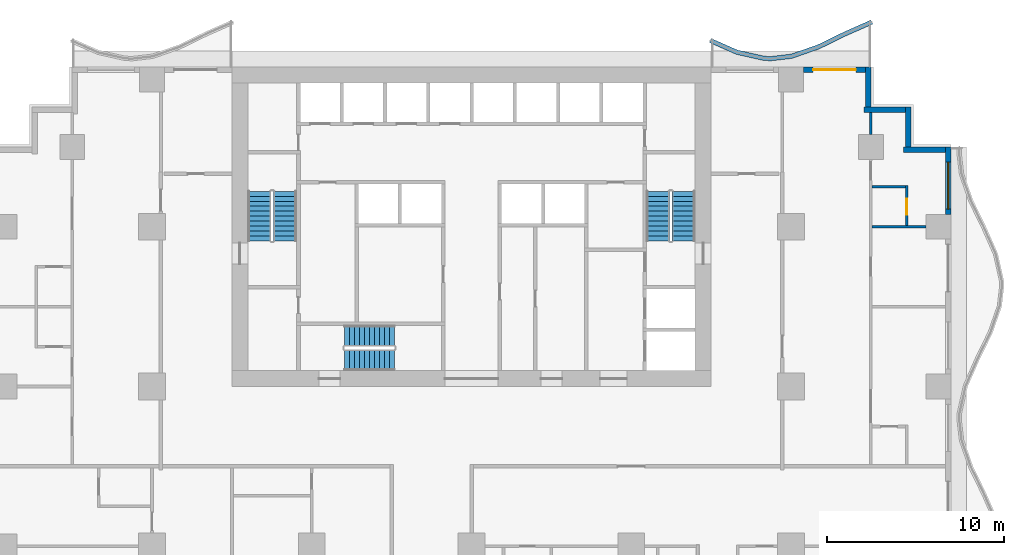
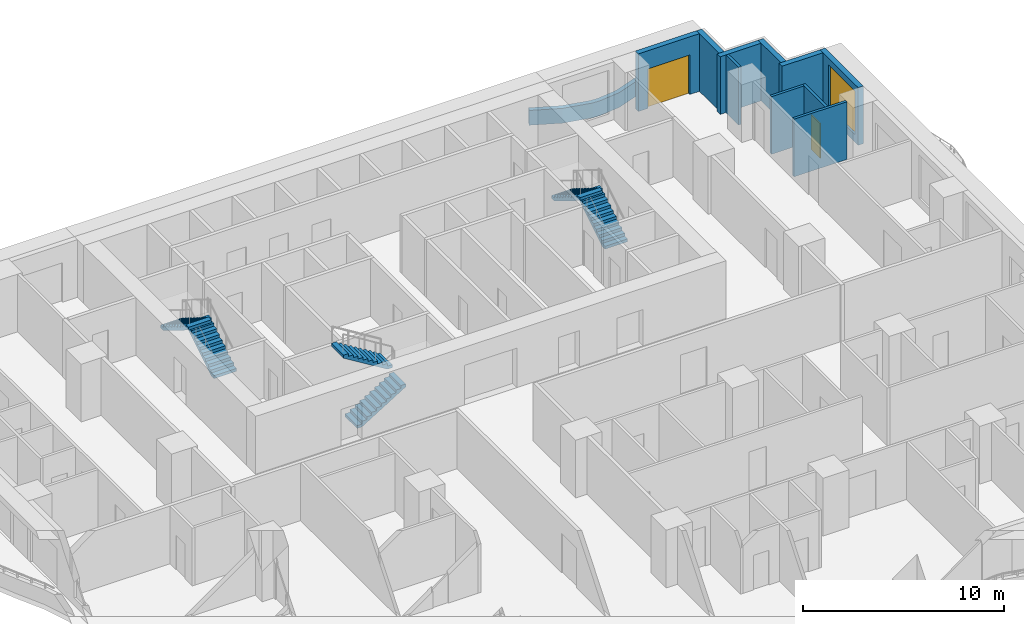
# One storey, part 7 of 14: 11 walls, 6 stair flights, 2 doors, 1 window, 3 openings, 3 elements without a shape of their own.
"""IFC4 building model written with IfcOpenShell, lengths in metres."""

from ifc_helpers import new_model, si_unit, direction, frame, frame_2d, origin, place, context, subcontext, project, spatial, polyline, rectangle, outline, extrude, material, layer, layer_set, type_object, element, fill, aggregate, save


model = new_model("IFC4")

# Units and contexts
model_context = context("Model", 3, precision=1e-05, world=origin(), true_north=direction((0.0, 1.0)))
body_context = subcontext(model_context, "Body", "Model", "MODEL_VIEW")
ifc_project = project(units=[si_unit("LENGTHUNIT", "METRE"), si_unit("AREAUNIT", "SQUARE_METRE"), si_unit("VOLUMEUNIT", "CUBIC_METRE"), si_unit("PLANEANGLEUNIT", "RADIAN"), si_unit("MASSUNIT", "GRAM", prefix="KILO")], contexts=[model_context])

# Site, building, storey
site_placement = place(None, origin())
site = spatial("IfcSite", under=ifc_project, at=site_placement, CompositionType="ELEMENT")
building_placement = place(site_placement, origin())
building = spatial("IfcBuilding", under=site, at=building_placement, Name="Orbiselva Terraces", CompositionType="ELEMENT")
storey_placement = place(building_placement, frame((0.0, 0.0, 56.8)))
storey = spatial("IfcBuildingStorey", under=building, at=storey_placement, Name="L14", CompositionType="ELEMENT", Elevation=56.8)

# Wall
ifc_material_1 = material(Name="Concrete C40/50", Category="concrete")
ifc_layer_1 = layer(ifc_material_1, 0.25)
ifc_layer_set_1 = layer_set([ifc_layer_1], Name="Concrete C40/50")
wall_type_1 = type_object("IfcWallType", Name="ENV-PLANTER-250x900", PredefinedType="USERDEFINED", material=ifc_layer_set_1)
wall_1_placement = place(storey_placement, origin())
element("IfcWall", 1, at=wall_1_placement, inside=storey, type_object=wall_type_1, Name="Balcony planter L14 NE", ObjectType="PLANTER", PredefinedType="USERDEFINED", context=body_context, shape_type="SweptSolid", body=[
    extrude(outline(polyline([(22.5, 25.148528), (21.0, 24.487721), (19.5, 23.755211), (18.0, 23.230792), (16.875, 23.1), (16.5, 23.114774), (15.0, 23.451472), (13.5, 24.112279), (13.399212, 23.883496), (14.921492, 23.212874), (16.467435, 22.865863), (16.884572, 22.849429), (18.056371, 22.985662), (19.59644, 23.524089), (21.105286, 24.260919), (22.600788, 24.919745), (22.5, 25.148528)])), origin(), (0.0, 0.0, 1.0), 0.9),
])

# Wall, opening, window
ifc_material_2 = material(Name="Terracotta cladding on masonry backing", Category="masonry")
ifc_layer_2 = layer(ifc_material_2, 0.3)
ifc_layer_set_2 = layer_set([ifc_layer_2], Name="Terracotta cladding on masonry backing")
wall_type_2 = type_object("IfcWallType", Name="ENV-WALL-TERRACOTTA-300", PredefinedType="SOLIDWALL", material=ifc_layer_set_2)
wall_2_placement = place(storey_placement, frame((26.85, 18.0, 0.0), z_axis=(0.0, 0.0, 1.0), x_axis=(0.0, -1.0, 0.0)))
wall_2 = element("IfcWall", 2, at=wall_2_placement, inside=storey, type_object=wall_type_2, Name="Facade wall L14 E", PredefinedType="SOLIDWALL", context=body_context, shape_type="SweptSolid", body=[
    extrude(rectangle(XDim=3.8, YDim=0.3, at=frame_2d((1.9, 0.0))), origin(), (0.0, 0.0, 1.0), 3.5),
])
opening_1_placement = place(wall_2_placement, frame((0.85, 0.0, 0.45)))
opening_1 = element("IfcOpeningElement", 3, at=opening_1_placement, cuts=wall_2, Name="Opening WN3", PredefinedType="OPENING", context=body_context, shape_type="SweptSolid", body=[
    extrude(rectangle(XDim=2.65, YDim=2.65, at=frame_2d((1.325, 1.325))), frame((0.0, 0.16, 0.0), z_axis=(0.0, -1.0, 0.0), x_axis=(1.0, 0.0, 0.0)), (0.0, 0.0, 1.0), 0.32),
])
ifc_material_3 = material(Name="Clear low-e glazing in aluminium frame", Category="aluminium")
window_type = type_object("IfcWindowType", Name="WINDOW 2650 X 2650 S450", PartitioningType="TRIPLE_PANEL_VERTICAL", PredefinedType="WINDOW", material=ifc_material_3)
window_placement = place(opening_1_placement, origin())
window = element("IfcWindow", 4, at=window_placement, inside=storey, type_object=window_type, Name="Window L14 E", OverallHeight=2.65, OverallWidth=2.65, PartitioningType="SINGLE_PANEL", PredefinedType="WINDOW", context=body_context, shape_type="SweptSolid", body=[
    extrude(rectangle(XDim=2.65, YDim=2.65, at=frame_2d((1.325, 1.325))), frame((0.0, 0.03, 0.0), z_axis=(0.0, -1.0, 0.0), x_axis=(1.0, 0.0, 0.0)), (0.0, 0.0, 1.0), 0.06),
])
fill(opening_1, window)

# Walls
wall_3_placement = place(storey_placement, frame((24.35, 17.85, 0.0), z_axis=(0.0, 0.0, 1.0), x_axis=(1.0, 0.0, 0.0)))
element("IfcWall", 5, at=wall_3_placement, inside=storey, type_object=wall_type_2, Name="Facade wall L14 STEP", PredefinedType="SOLIDWALL", context=body_context, shape_type="SweptSolid", body=[
    extrude(rectangle(XDim=2.35, YDim=0.3, at=frame_2d((1.175, 0.0))), origin(), (0.0, 0.0, 1.0), 3.5),
])
wall_4_placement = place(storey_placement, frame((24.6, 20.25, 0.0), z_axis=(0.0, 0.0, 1.0), x_axis=(0.0, -1.0, 0.0)))
element("IfcWall", 6, at=wall_4_placement, inside=storey, type_object=wall_type_2, Name="Facade wall L14 STEP", PredefinedType="SOLIDWALL", context=body_context, shape_type="SweptSolid", body=[
    extrude(rectangle(XDim=2.25, YDim=0.3, at=frame_2d((1.125, 0.0))), origin(), (0.0, 0.0, 1.0), 3.5),
])
wall_5_placement = place(storey_placement, frame((22.1, 20.1, 0.0), z_axis=(0.0, 0.0, 1.0), x_axis=(1.0, 0.0, 0.0)))
element("IfcWall", 7, at=wall_5_placement, inside=storey, type_object=wall_type_2, Name="Facade wall L14 STEP", PredefinedType="SOLIDWALL", context=body_context, shape_type="SweptSolid", body=[
    extrude(rectangle(XDim=2.35, YDim=0.3, at=frame_2d((1.175, 0.0))), origin(), (0.0, 0.0, 1.0), 3.5),
])
wall_6_placement = place(storey_placement, frame((22.35, 22.5, 0.0), z_axis=(0.0, 0.0, 1.0), x_axis=(0.0, -1.0, 0.0)))
element("IfcWall", 8, at=wall_6_placement, inside=storey, type_object=wall_type_2, Name="Facade wall L14 STEP", PredefinedType="SOLIDWALL", context=body_context, shape_type="SweptSolid", body=[
    extrude(rectangle(XDim=2.25, YDim=0.3, at=frame_2d((1.125, 0.0))), origin(), (0.0, 0.0, 1.0), 3.5),
])

# Wall, opening, door
wall_7_placement = place(storey_placement, frame((18.7, 22.35, 0.0), z_axis=(0.0, 0.0, 1.0), x_axis=(1.0, 0.0, 0.0)))
wall_7 = element("IfcWall", 9, at=wall_7_placement, inside=storey, type_object=wall_type_2, Name="Facade wall L14 NE", PredefinedType="SOLIDWALL", context=body_context, shape_type="SweptSolid", body=[
    extrude(rectangle(XDim=3.5, YDim=0.3, at=frame_2d((1.75, 0.0))), origin(), (0.0, 0.0, 1.0), 3.5),
])
opening_2_placement = place(wall_7_placement, frame((0.55, 0.0, 0.0)))
opening_2 = element("IfcOpeningElement", 10, at=opening_2_placement, cuts=wall_7, Name="Opening Z1-E-E08", PredefinedType="OPENING", context=body_context, shape_type="SweptSolid", body=[
    extrude(rectangle(XDim=2.4, YDim=2.4, at=frame_2d((1.2, 1.2))), frame((0.0, 0.16, 0.0), z_axis=(0.0, -1.0, 0.0), x_axis=(1.0, 0.0, 0.0)), (0.0, 0.0, 1.0), 0.32),
])
door_type_1 = type_object("IfcDoorType", Name="BALCONY DOOR 2400 X 2400", OperationType="DOUBLE_DOOR_SLIDING", PredefinedType="DOOR", material=ifc_material_3)
door_1_placement = place(opening_2_placement, origin())
door_1 = element("IfcDoor", 11, at=door_1_placement, inside=storey, type_object=door_type_1, Name="Z1-E-E08", OperationType="SINGLE_SWING_LEFT", OverallHeight=2.4, OverallWidth=2.4, PredefinedType="DOOR", context=body_context, shape_type="SweptSolid", body=[
    extrude(rectangle(XDim=2.4, YDim=2.4, at=frame_2d((1.2, 1.2))), frame((0.0, 0.025, 0.0), z_axis=(0.0, -1.0, 0.0), x_axis=(1.0, 0.0, 0.0)), (0.0, 0.0, 1.0), 0.05),
])
fill(opening_2, door_1)

# Walls
ifc_material_4 = material(Name="Plasterboard on steel stud partition", Category="steel")
ifc_layer_3 = layer(ifc_material_4, 0.15)
ifc_layer_set_3 = layer_set([ifc_layer_3], Name="Plasterboard on steel stud partition")
wall_type_3 = type_object("IfcWallType", Name="UNIT-PARTITION-150", PredefinedType="PARTITIONING", material=ifc_layer_set_3)
wall_8_placement = place(storey_placement, frame((22.575, 13.5, 0.0), z_axis=(0.0, 0.0, 1.0), x_axis=(1.0, 0.0, 0.0)))
element("IfcWall", 12, at=wall_8_placement, inside=storey, type_object=wall_type_3, Name="PARTITION L14-040", PredefinedType="PARTITIONING", context=body_context, shape_type="SweptSolid", body=[
    extrude(rectangle(XDim=3.025, YDim=0.15, at=frame_2d((1.5125, 0.0))), origin(), (0.0, 0.0, 1.0), 3.5),
])
wall_9_placement = place(storey_placement, frame((22.575, 15.75, 0.0), z_axis=(0.0, 0.0, 1.0), x_axis=(1.0, 0.0, 0.0)))
element("IfcWall", 13, at=wall_9_placement, inside=storey, type_object=wall_type_3, Name="PARTITION L14-041", PredefinedType="PARTITIONING", context=body_context, shape_type="SweptSolid", body=[
    extrude(rectangle(XDim=1.875, YDim=0.15, at=frame_2d((0.9375, 0.0))), origin(), (0.0, 0.0, 1.0), 3.5),
])
wall_10_placement = place(storey_placement, frame((22.5, 18.7, 0.0), z_axis=(0.0, 0.0, 1.0), x_axis=(0.0, 1.0, 0.0)))
element("IfcWall", 14, at=wall_10_placement, inside=storey, type_object=wall_type_3, Name="PARTITION L14-087", PredefinedType="PARTITIONING", context=body_context, shape_type="SweptSolid", body=[
    extrude(rectangle(XDim=1.25, YDim=0.15, at=frame_2d((0.625, 0.0))), origin(), (0.0, 0.0, 1.0), 3.5),
])

# Wall, opening, door
wall_11_placement = place(storey_placement, frame((24.525, 13.575, 0.0), z_axis=(0.0, 0.0, 1.0), x_axis=(0.0, 1.0, 0.0)))
wall_11 = element("IfcWall", 15, at=wall_11_placement, inside=storey, type_object=wall_type_3, Name="PARTITION L14-090", PredefinedType="PARTITIONING", context=body_context, shape_type="SweptSolid", body=[
    extrude(rectangle(XDim=2.25, YDim=0.15, at=frame_2d((1.125, 0.0))), origin(), (0.0, 0.0, 1.0), 3.5),
])
opening_3_placement = place(wall_11_placement, frame((0.6, 0.0, 0.0)))
opening_3 = element("IfcOpeningElement", 16, at=opening_3_placement, cuts=wall_11, Name="Opening Z1-E-14", PredefinedType="OPENING", context=body_context, shape_type="SweptSolid", body=[
    extrude(rectangle(XDim=0.9, YDim=2.1, at=frame_2d((0.45, 1.05))), frame((0.0, 0.085, 0.0), z_axis=(0.0, -1.0, 0.0), x_axis=(1.0, 0.0, 0.0)), (0.0, 0.0, 1.0), 0.17),
])
ifc_material_5 = material(Name="Painted timber door leaf", Category="wood")
door_type_2 = type_object("IfcDoorType", Name="BATH DOOR 900", OperationType="NOTDEFINED", PredefinedType="DOOR", material=ifc_material_5)
door_2_placement = place(opening_3_placement, origin())
door_2 = element("IfcDoor", 17, at=door_2_placement, inside=storey, type_object=door_type_2, Name="Z1-E-14", OperationType="SINGLE_SWING_LEFT", OverallHeight=2.1, OverallWidth=0.9, PredefinedType="DOOR", context=body_context, shape_type="SweptSolid", body=[
    extrude(rectangle(XDim=0.9, YDim=2.1, at=frame_2d((0.45, 1.05))), frame((0.0, 0.025, 0.0), z_axis=(0.0, -1.0, 0.0), x_axis=(1.0, 0.0, 0.0)), (0.0, 0.0, 1.0), 0.05),
])
fill(opening_3, door_2)

# Stair, stair flights
stair_type_1 = type_object("IfcStairType", Name="CORE-STAIR-1200", PredefinedType="HALF_TURN_STAIR", material=ifc_material_1)
stair_1_placement = place(storey_placement, origin())
stair_1 = element("IfcStair", 18, at=stair_1_placement, inside=storey, type_object=stair_type_1, Name="L14 Exit Stair S3", PredefinedType="HALF_TURN_STAIR")
stair_flight_type_1 = type_object("IfcStairFlightType", Name="CORE-STAIR-FLIGHT-1200", PredefinedType="STRAIGHT", material=ifc_material_1)
stair_flight_1_placement = place(storey_placement, frame((-7.15, 6.0, 0.0), z_axis=(0.0, 0.0, 1.0), x_axis=(1.0, 0.0, 0.0)))
stair_flight_1 = element("IfcStairFlight", 19, at=stair_flight_1_placement, type_object=stair_flight_type_1, Name="S3 flight 1", NumberOfRisers=11, NumberOfTreads=10, PredefinedType="STRAIGHT", RiserHeight=0.172727273, TreadLength=0.28, context=body_context, shape_type="SweptSolid", body=[
    extrude(outline(polyline([(0.0, 0.0), (0.0, 0.172727), (0.28, 0.172727), (0.28, 0.345455), (0.56, 0.345455), (0.56, 0.518182), (0.84, 0.518182), (0.84, 0.690909), (1.12, 0.690909), (1.12, 0.863636), (1.4, 0.863636), (1.4, 1.036364), (1.68, 1.036364), (1.68, 1.209091), (1.96, 1.209091), (1.96, 1.381818), (2.24, 1.381818), (2.24, 1.554545), (2.52, 1.554545), (2.52, 1.727273), (2.8, 1.727273), (2.8, 1.9), (2.8, 1.551028), (0.285702, 0.0), (0.0, 0.0)])), frame((0.0, 0.6, 0.0), z_axis=(0.0, -1.0, 0.0), x_axis=(1.0, 0.0, 0.0)), (0.0, 0.0, 1.0), 1.2),
])
stair_flight_2_placement = place(storey_placement, frame((-4.35, 7.35, 1.9), z_axis=(0.0, 0.0, 1.0), x_axis=(-1.0, 0.0, 0.0)))
stair_flight_2 = element("IfcStairFlight", 20, at=stair_flight_2_placement, type_object=stair_flight_type_1, Name="S3 flight 2", NumberOfRisers=11, NumberOfTreads=10, PredefinedType="STRAIGHT", RiserHeight=0.172727273, TreadLength=0.28, context=body_context, shape_type="SweptSolid", body=[
    extrude(outline(polyline([(0.0, 0.0), (0.0, 0.172727), (0.28, 0.172727), (0.28, 0.345455), (0.56, 0.345455), (0.56, 0.518182), (0.84, 0.518182), (0.84, 0.690909), (1.12, 0.690909), (1.12, 0.863636), (1.4, 0.863636), (1.4, 1.036364), (1.68, 1.036364), (1.68, 1.209091), (1.96, 1.209091), (1.96, 1.381818), (2.24, 1.381818), (2.24, 1.554545), (2.52, 1.554545), (2.52, 1.727273), (2.8, 1.727273), (2.8, 1.9), (2.8, 1.551028), (0.285702, 0.0), (0.0, 0.0)])), frame((0.0, 0.6, 0.0), z_axis=(0.0, -1.0, 0.0), x_axis=(1.0, 0.0, 0.0)), (0.0, 0.0, 1.0), 1.2),
])
aggregate(stair_1, [stair_flight_1, stair_flight_2])

stair_type_2 = type_object("IfcStairType", Name="CORE-STAIR-1300", PredefinedType="HALF_TURN_STAIR", material=ifc_material_1)
stair_2_placement = place(storey_placement, origin())
stair_2 = element("IfcStair", 21, at=stair_2_placement, inside=storey, type_object=stair_type_2, Name="L14 Exit Stair S1", PredefinedType="HALF_TURN_STAIR")
stair_flight_type_2 = type_object("IfcStairFlightType", Name="CORE-STAIR-FLIGHT-1300", PredefinedType="STRAIGHT", material=ifc_material_1)
stair_flight_3_placement = place(storey_placement, frame((-10.5, 12.7, 0.0), z_axis=(0.0, 0.0, 1.0), x_axis=(0.0, 1.0, 0.0)))
stair_flight_3 = element("IfcStairFlight", 22, at=stair_flight_3_placement, type_object=stair_flight_type_2, Name="S1 flight 1", NumberOfRisers=11, NumberOfTreads=10, PredefinedType="STRAIGHT", RiserHeight=0.172727273, TreadLength=0.28, context=body_context, shape_type="SweptSolid", body=[
    extrude(outline(polyline([(0.0, 0.0), (0.0, 0.172727), (0.28, 0.172727), (0.28, 0.345455), (0.56, 0.345455), (0.56, 0.518182), (0.84, 0.518182), (0.84, 0.690909), (1.12, 0.690909), (1.12, 0.863636), (1.4, 0.863636), (1.4, 1.036364), (1.68, 1.036364), (1.68, 1.209091), (1.96, 1.209091), (1.96, 1.381818), (2.24, 1.381818), (2.24, 1.554545), (2.52, 1.554545), (2.52, 1.727273), (2.8, 1.727273), (2.8, 1.9), (2.8, 1.551028), (0.285702, 0.0), (0.0, 0.0)])), frame((0.0, 0.65, 0.0), z_axis=(0.0, -1.0, 0.0), x_axis=(1.0, 0.0, 0.0)), (0.0, 0.0, 1.0), 1.3),
])
stair_flight_4_placement = place(storey_placement, frame((-11.95, 15.5, 1.9), z_axis=(0.0, 0.0, 1.0), x_axis=(0.0, -1.0, 0.0)))
stair_flight_4 = element("IfcStairFlight", 23, at=stair_flight_4_placement, type_object=stair_flight_type_2, Name="S1 flight 2", NumberOfRisers=11, NumberOfTreads=10, PredefinedType="STRAIGHT", RiserHeight=0.172727273, TreadLength=0.28, context=body_context, shape_type="SweptSolid", body=[
    extrude(outline(polyline([(0.0, 0.0), (0.0, 0.172727), (0.28, 0.172727), (0.28, 0.345455), (0.56, 0.345455), (0.56, 0.518182), (0.84, 0.518182), (0.84, 0.690909), (1.12, 0.690909), (1.12, 0.863636), (1.4, 0.863636), (1.4, 1.036364), (1.68, 1.036364), (1.68, 1.209091), (1.96, 1.209091), (1.96, 1.381818), (2.24, 1.381818), (2.24, 1.554545), (2.52, 1.554545), (2.52, 1.727273), (2.8, 1.727273), (2.8, 1.9), (2.8, 1.551028), (0.285702, 0.0), (0.0, 0.0)])), frame((0.0, 0.65, 0.0), z_axis=(0.0, -1.0, 0.0), x_axis=(1.0, 0.0, 0.0)), (0.0, 0.0, 1.0), 1.3),
])
aggregate(stair_2, [stair_flight_3, stair_flight_4])

stair_3_placement = place(storey_placement, origin())
stair_3 = element("IfcStair", 24, at=stair_3_placement, inside=storey, type_object=stair_type_2, Name="L14 Exit Stair S2", PredefinedType="HALF_TURN_STAIR")
stair_flight_5_placement = place(storey_placement, frame((11.95, 12.7, 0.0), z_axis=(0.0, 0.0, 1.0), x_axis=(0.0, 1.0, 0.0)))
stair_flight_5 = element("IfcStairFlight", 25, at=stair_flight_5_placement, type_object=stair_flight_type_2, Name="S2 flight 1", NumberOfRisers=11, NumberOfTreads=10, PredefinedType="STRAIGHT", RiserHeight=0.172727273, TreadLength=0.28, context=body_context, shape_type="SweptSolid", body=[
    extrude(outline(polyline([(0.0, 0.0), (0.0, 0.172727), (0.28, 0.172727), (0.28, 0.345455), (0.56, 0.345455), (0.56, 0.518182), (0.84, 0.518182), (0.84, 0.690909), (1.12, 0.690909), (1.12, 0.863636), (1.4, 0.863636), (1.4, 1.036364), (1.68, 1.036364), (1.68, 1.209091), (1.96, 1.209091), (1.96, 1.381818), (2.24, 1.381818), (2.24, 1.554545), (2.52, 1.554545), (2.52, 1.727273), (2.8, 1.727273), (2.8, 1.9), (2.8, 1.551028), (0.285702, 0.0), (0.0, 0.0)])), frame((0.0, 0.65, 0.0), z_axis=(0.0, -1.0, 0.0), x_axis=(1.0, 0.0, 0.0)), (0.0, 0.0, 1.0), 1.3),
])
stair_flight_6_placement = place(storey_placement, frame((10.5, 15.5, 1.9), z_axis=(0.0, 0.0, 1.0), x_axis=(0.0, -1.0, 0.0)))
stair_flight_6 = element("IfcStairFlight", 26, at=stair_flight_6_placement, type_object=stair_flight_type_2, Name="S2 flight 2", NumberOfRisers=11, NumberOfTreads=10, PredefinedType="STRAIGHT", RiserHeight=0.172727273, TreadLength=0.28, context=body_context, shape_type="SweptSolid", body=[
    extrude(outline(polyline([(0.0, 0.0), (0.0, 0.172727), (0.28, 0.172727), (0.28, 0.345455), (0.56, 0.345455), (0.56, 0.518182), (0.84, 0.518182), (0.84, 0.690909), (1.12, 0.690909), (1.12, 0.863636), (1.4, 0.863636), (1.4, 1.036364), (1.68, 1.036364), (1.68, 1.209091), (1.96, 1.209091), (1.96, 1.381818), (2.24, 1.381818), (2.24, 1.554545), (2.52, 1.554545), (2.52, 1.727273), (2.8, 1.727273), (2.8, 1.9), (2.8, 1.551028), (0.285702, 0.0), (0.0, 0.0)])), frame((0.0, 0.65, 0.0), z_axis=(0.0, -1.0, 0.0), x_axis=(1.0, 0.0, 0.0)), (0.0, 0.0, 1.0), 1.3),
])
aggregate(stair_3, [stair_flight_5, stair_flight_6])

save(model, "model.ifc")
